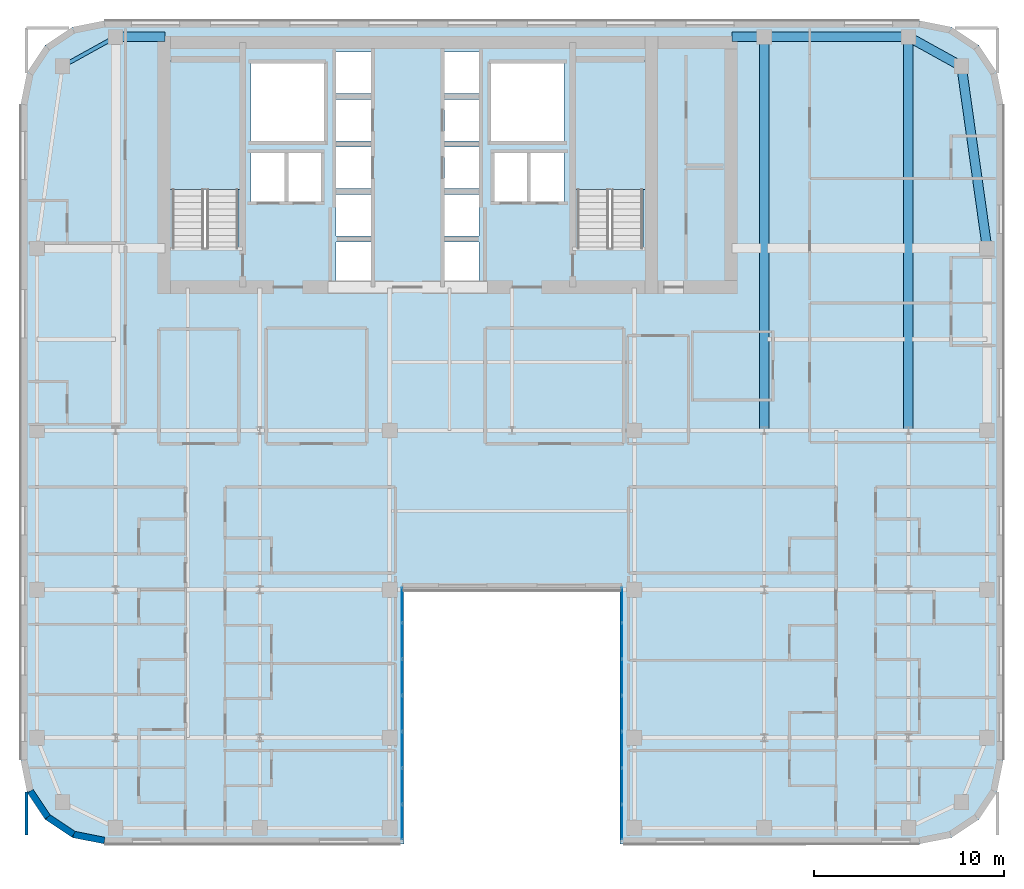
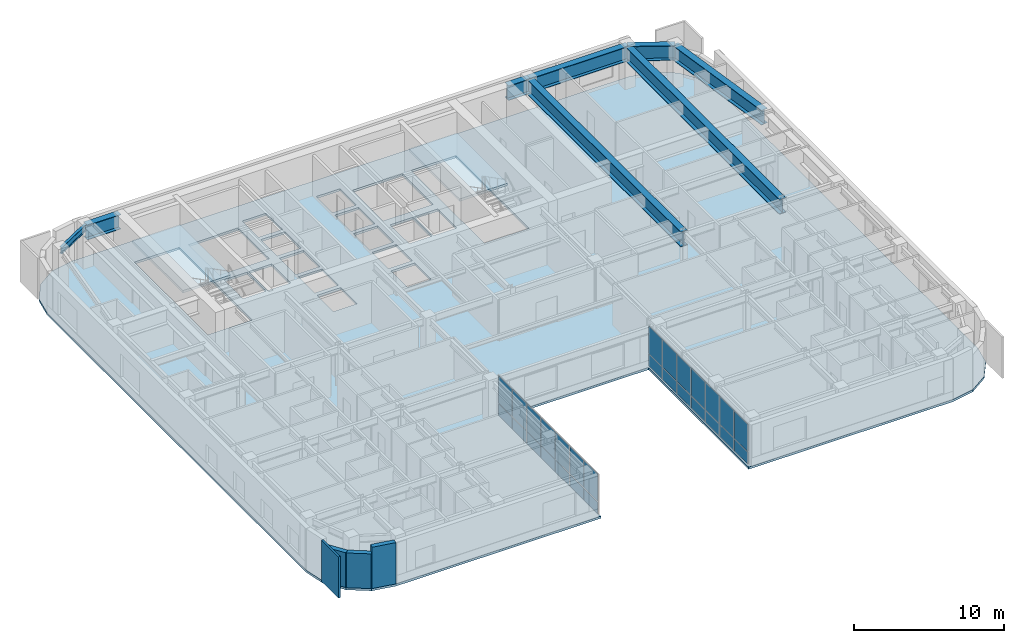
# One storey, part 8 of 21: 28 plates, 8 beams, 4 walls, 3 slabs, 4 elements without a shape of their own.
"""IFC4 building model written with IfcOpenShell, lengths in metres."""

import ifcopenshell
import ifcopenshell.guid

model = None  # the IFC model being written
_history = None  # IfcOwnerHistory: only IFC2X3 demands one
_inside = {}  # id of a spatial element -> (the spatial element, [elements in it])
_under = {}  # id of a project, library or spatial element -> (it, [spatial elements below it])
_declared = {}  # id of a project -> (the project, [libraries it declares])
_typed = {}  # id of a type object -> (the type object, [elements of that type])
_made_of = {}  # id of a material, layer set ... -> (it, [elements and type objects made of it])


def new_model(schema):
    """Start an empty IFC model of exactly this schema.

    Asked for "IFC4X3", IfcOpenShell would pick the latest addendum, in which some entities
    have other attributes; the version numbers below select the first issue.
    IFC2X3 requires an IfcOwnerHistory on every rooted entity: one is made here for all.
    """
    global model, _history
    if schema == "IFC4X3":
        model = ifcopenshell.file(schema_version=(4, 3, 0, 0))
    else:
        model = ifcopenshell.file(schema=schema)
    _inside.clear()
    _under.clear()
    _declared.clear()
    _typed.clear()
    _made_of.clear()
    _history = None
    if model.schema == "IFC2X3":
        org = make("IfcOrganization", Name="unknown")
        user = make(
            "IfcPersonAndOrganization",
            ThePerson=make("IfcPerson", FamilyName="unknown"),
            TheOrganization=org,
        )
        app = make(
            "IfcApplication",
            ApplicationDeveloper=org,
            Version="unknown",
            ApplicationFullName="unknown",
            ApplicationIdentifier="unknown",
        )
        _history = make(
            "IfcOwnerHistory",
            OwningUser=user,
            OwningApplication=app,
            ChangeAction="ADDED",
            CreationDate=0,
        )
    return model


def make(cls, **values):
    """One entity of the class cls with the attributes given. An attribute that is None is left unset."""
    return model.create_entity(
        cls, **{name: value for name, value in values.items() if value is not None}
    )


def rooted(cls, **values):
    """An entity with a GlobalId (a new one), such as an element, a storey or a relation."""
    return make(cls, GlobalId=ifcopenshell.guid.new(), OwnerHistory=_history, **values)


def si_unit(unit_type, name, prefix=None):
    """IfcSIUnit, for example si_unit("LENGTHUNIT", "METRE", prefix="MILLI")."""
    return make("IfcSIUnit", UnitType=unit_type, Prefix=prefix, Name=name)


def assignment(units):
    """IfcUnitAssignment: the units of a project."""
    return None if units is None else make("IfcUnitAssignment", Units=units)


def point(xyz):
    """IfcCartesianPoint."""
    return None if xyz is None else make("IfcCartesianPoint", Coordinates=xyz)


def direction(xyz):
    """IfcDirection."""
    return None if xyz is None else make("IfcDirection", DirectionRatios=xyz)


def frame(location, z_axis=None, x_axis=None):
    """IfcAxis2Placement3D, a coordinate frame: its origin and axes. An axis left out is left unset."""
    return make(
        "IfcAxis2Placement3D",
        Location=point(location),
        Axis=direction(z_axis),
        RefDirection=direction(x_axis),
    )


def frame_2d(location, x_axis=None):
    """IfcAxis2Placement2D, a coordinate frame in the plane: its origin and x axis."""
    return make(
        "IfcAxis2Placement2D", Location=point(location), RefDirection=direction(x_axis)
    )


def origin():
    """The frame at (0, 0, 0) with its axes left unset."""
    return frame((0.0, 0.0, 0.0))


def origin_2d():
    """The frame at (0, 0) in the plane with its x axis left unset."""
    return frame_2d((0.0, 0.0))


def place(relative_to, where):
    """IfcLocalPlacement: puts the frame where relative to a parent placement (None: the world)."""
    return make(
        "IfcLocalPlacement", PlacementRelTo=relative_to, RelativePlacement=where
    )


def context(
    kind, dimensions, precision=None, world=None, true_north=None, identifier=None
):
    """IfcGeometricRepresentationContext, for example the 3D "Model" context."""
    return make(
        "IfcGeometricRepresentationContext",
        ContextIdentifier=identifier,
        ContextType=kind,
        CoordinateSpaceDimension=dimensions,
        Precision=precision,
        WorldCoordinateSystem=world,
        TrueNorth=true_north,
    )


def subcontext(parent, identifier, kind, view, scale=None):
    """IfcGeometricRepresentationSubContext, for example "Body" below "Model"."""
    return make(
        "IfcGeometricRepresentationSubContext",
        ContextIdentifier=identifier,
        ContextType=kind,
        ParentContext=parent,
        TargetScale=scale,
        TargetView=view,
    )


def project(units=None, contexts=None):
    """IfcProject with its units and contexts."""
    return rooted(
        "IfcProject",
        Name="project",
        RepresentationContexts=contexts,
        UnitsInContext=assignment(units),
    )


def spatial(cls, under=None, at=None, **own):
    """A site, building, storey or space (cls), placed at a placement, below another one or the project."""
    s = rooted(cls, ObjectPlacement=at, **own)
    if under is not None:
        _under.setdefault(under.id(), (under, []))[1].append(s)
    return s


def polyline(points):
    """IfcPolyline through the points."""
    return make("IfcPolyline", Points=[point(p) for p in points])


def profile(cls, at=None, kind="AREA", **sizes):
    """A parametric profile (cls). Its sizes go by their IFC names, for example OverallWidth=200.0."""
    return make(cls, ProfileType=kind, Position=at, **sizes)


def rectangle(**sizes):
    """IfcRectangleProfileDef."""
    return profile("IfcRectangleProfileDef", **sizes)


def i_section(**sizes):
    """IfcIShapeProfileDef."""
    return profile("IfcIShapeProfileDef", **sizes)


def outline(outer, holes=None, kind="AREA"):
    """IfcArbitraryClosedProfileDef: a profile drawn as a closed curve; with holes, ...WithVoids."""
    if holes is None:
        return make("IfcArbitraryClosedProfileDef", ProfileType=kind, OuterCurve=outer)
    return make(
        "IfcArbitraryProfileDefWithVoids",
        ProfileType=kind,
        OuterCurve=outer,
        InnerCurves=holes,
    )


def extrude(swept, where, along, depth):
    """IfcExtrudedAreaSolid: the profile swept, set in the frame where, extruded along a direction by depth."""
    return make(
        "IfcExtrudedAreaSolid",
        SweptArea=swept,
        Position=where,
        ExtrudedDirection=direction(along),
        Depth=depth,
    )


def shape(context_of_items, identifier, shape_type, items):
    """IfcShapeRepresentation: the items that make up one representation, for example the "Body"."""
    return make(
        "IfcShapeRepresentation",
        ContextOfItems=context_of_items,
        RepresentationIdentifier=identifier,
        RepresentationType=shape_type,
        Items=items,
    )


def source(mapping_origin, context_of_items, identifier, shape_type, items):
    """IfcRepresentationMap: a shape defined once, which mapped items show again and again."""
    return make(
        "IfcRepresentationMap",
        MappingOrigin=mapping_origin,
        MappedRepresentation=shape(context_of_items, identifier, shape_type, items),
    )


def transform(
    local_origin,
    x_axis=None,
    y_axis=None,
    z_axis=None,
    scale=None,
    scale2=None,
    scale3=None,
    uniform=True,
):
    """IfcCartesianTransformationOperator3D, or its non-uniform kind. x_axis, y_axis, z_axis: its Axis1, 2, 3."""
    if uniform:
        return make(
            "IfcCartesianTransformationOperator3D",
            Axis1=direction(x_axis),
            Axis2=direction(y_axis),
            LocalOrigin=point(local_origin),
            Scale=scale,
            Axis3=direction(z_axis),
        )
    return make(
        "IfcCartesianTransformationOperator3DnonUniform",
        Axis1=direction(x_axis),
        Axis2=direction(y_axis),
        LocalOrigin=point(local_origin),
        Scale=scale,
        Axis3=direction(z_axis),
        Scale2=scale2,
        Scale3=scale3,
    )


def mapped(mapping_source, mapping_target):
    """IfcMappedItem: shows the shape of a source again, moved by a transform."""
    return make(
        "IfcMappedItem", MappingSource=mapping_source, MappingTarget=mapping_target
    )


def material(Name=None, Category=None):
    """IfcMaterial."""
    return make("IfcMaterial", Name=Name, Category=Category)


def layer(
    of_material, thickness, ventilated=None, Name=None, Category=None, Priority=None
):
    """IfcMaterialLayer: one layer of a wall or slab, of a material (None: an air gap)."""
    return make(
        "IfcMaterialLayer",
        Material=of_material,
        LayerThickness=thickness,
        IsVentilated=ventilated,
        Name=Name,
        Category=Category,
        Priority=Priority,
    )


def layer_set(layers, Name=None):
    """IfcMaterialLayerSet."""
    return make("IfcMaterialLayerSet", MaterialLayers=layers, LayerSetName=Name)


def material_profile(
    of_material, cross_section, Name=None, Category=None, Priority=None
):
    """IfcMaterialProfile: a cross section and its material."""
    return make(
        "IfcMaterialProfile",
        Name=Name,
        Material=of_material,
        Profile=cross_section,
        Priority=Priority,
        Category=Category,
    )


def profile_set(profiles, Name=None, composite=None):
    """IfcMaterialProfileSet."""
    return make(
        "IfcMaterialProfileSet",
        Name=Name,
        MaterialProfiles=profiles,
        CompositeProfile=composite,
    )


def made_of(thing, what):
    """Note that an element or type object is made of a material, layer set ...; save() writes the relation."""
    if what is not None:
        _made_of.setdefault(what.id(), (what, []))[1].append(thing)
    return thing


def type_object(cls, material=None, **own):
    """A type object (cls), such as IfcWallType, which elements share."""
    return made_of(rooted(cls, **own), material)


def type_shapes(of_type, sources):
    """Give a type object the sources (RepresentationMaps) that its elements show as mapped items."""
    of_type.RepresentationMaps = sources


def element(
    cls,
    number,
    at=None,
    inside=None,
    cuts=None,
    type_object=None,
    material=None,
    context=None,
    identifier="Body",
    shape_type=None,
    held_by="IfcProductDefinitionShape",
    body=None,
    shapes=None,
    **own,
):
    """One element of the class cls, such as IfcWall. Its Tag is "e" and its number.

    at: its placement. inside: the storey or other place that contains it. cuts: it is an
    opening in that element (IfcRelVoidsElement). A single representation is given by context,
    identifier, shape_type and body (its items); several are given by shapes. held_by: the class
    of the entity that holds the representations. save() writes the other relations.
    """
    e = rooted(cls, Tag="e%d" % number, ObjectPlacement=at, **own)
    if body is not None:
        shapes = [shape(context, identifier, shape_type, body)]
    if shapes is not None:
        e.Representation = make(held_by, Representations=shapes)
    if inside is not None:
        _inside.setdefault(inside.id(), (inside, []))[1].append(e)
    if cuts is not None:
        rooted(
            "IfcRelVoidsElement", RelatingBuildingElement=cuts, RelatedOpeningElement=e
        )
    if type_object is not None:
        _typed.setdefault(type_object.id(), (type_object, []))[1].append(e)
    return made_of(e, material)


def aggregate(whole, parts):
    """IfcRelAggregates: a whole, such as a stair, and the parts it consists of."""
    return rooted("IfcRelAggregates", RelatingObject=whole, RelatedObjects=parts)


def save(model, path):
    """Write the relations noted so far, then the file.

    IfcRelAggregates (storeys below a building ...), IfcRelContainedInSpatialStructure (elements
    in a storey), IfcRelDefinesByType, IfcRelAssociatesMaterial and IfcRelDeclares: one each for
    every whole, place, type object, material and project.
    """
    for whole, parts in _under.values():
        aggregate(whole, parts)
    for where, things in _inside.values():
        rooted(
            "IfcRelContainedInSpatialStructure",
            RelatedElements=things,
            RelatingStructure=where,
        )
    for kind, things in _typed.values():
        rooted("IfcRelDefinesByType", RelatedObjects=things, RelatingType=kind)
    for what, things in _made_of.values():
        rooted("IfcRelAssociatesMaterial", RelatedObjects=things, RelatingMaterial=what)
    for by, libraries in _declared.values():
        rooted("IfcRelDeclares", RelatingContext=by, RelatedDefinitions=libraries)
    model.write(path)


model = new_model("IFC4")

# Units and contexts
model_context = context("Model", 3, precision=1e-05, world=origin(), true_north=direction((0.0, 1.0)))
body_context = subcontext(model_context, "Body", "Model", "MODEL_VIEW")
ifc_project = project(units=[si_unit("LENGTHUNIT", "METRE"), si_unit("AREAUNIT", "SQUARE_METRE"), si_unit("VOLUMEUNIT", "CUBIC_METRE"), si_unit("PLANEANGLEUNIT", "RADIAN"), si_unit("MASSUNIT", "GRAM", prefix="KILO")], contexts=[model_context])

# Site, building, storey
site_placement = place(None, origin())
site = spatial("IfcSite", under=ifc_project, at=site_placement, CompositionType="ELEMENT")
building_placement = place(site_placement, origin())
building = spatial("IfcBuilding", under=site, at=building_placement, Name="Tolvann Quenvar Hotel", CompositionType="ELEMENT")
storey_placement = place(building_placement, frame((0.0, 0.0, 161.25)))
storey = spatial("IfcBuildingStorey", under=building, at=storey_placement, Name="L42", CompositionType="ELEMENT", Elevation=161.25)

# Beams
ifc_material_1 = material(Name="Steel Grade 350", Category="steel")
ifc_material_profile_1 = material_profile(ifc_material_1, i_section(OverallWidth=0.5, OverallDepth=1.199951171875, WebThickness=0.01611328125, FlangeThickness=0.0400390625, at=origin_2d()), Name="1200WB455")
ifc_profile_set_1 = profile_set([ifc_material_profile_1], Name="Steel Grade 350")
beam_type_1 = type_object("IfcBeamType", Name="BM_TG_1200WB455", PredefinedType="USERDEFINED", material=ifc_profile_set_1)
shared_shape_1 = source(origin(), body_context, "Body", "SweptSolid", [
    extrude(i_section(OverallWidth=0.5, OverallDepth=1.199951171875, WebThickness=0.01611328125, FlangeThickness=0.0400390625, at=origin_2d()), origin(), (0.0, 0.0, 1.0), 7.599853515625),
])
beam_1_placement = place(storey_placement, frame((49.39990234375, 45.14990234375, 2.77001953125), z_axis=(-1.0, 0.0, 0.0), x_axis=(0.0, -1.0, 0.0)))
element("IfcBeam", 1, at=beam_1_placement, inside=storey, type_object=beam_type_1, Name="BM-L42-FLK-E4", ObjectType="TRANSFER GIRDER", PredefinedType="USERDEFINED", context=body_context, shape_type="MappedRepresentation", body=[
    mapped(shared_shape_1, transform((0.0, 0.0, 0.0), x_axis=(1.0, 0.0, 0.0), y_axis=(0.0, 1.0, 0.0), z_axis=(0.0, 0.0, 1.0), scale=1.0)),
])
shared_shape_2 = source(origin(), body_context, "Body", "SweptSolid", [
    extrude(i_section(OverallWidth=0.5, OverallDepth=1.199951171875, WebThickness=0.01611328125, FlangeThickness=0.0400390625, at=origin_2d()), origin(), (0.0, 0.0, 1.0), 20.75),
])
for number, where, z_axis, x_axis, name in (
    (2, (41.800048828125, 24.39990234375, 2.77001953125), (0.0, 1.0, 0.0), (-1.0, 0.0, 0.0), "BM-L42-FLK-EH"),
    (3, (49.39990234375, 24.39990234375, 2.77001953125), (0.0, 1.0, 0.0), (-1.0, 0.0, 0.0), "BM-L42-FLK-EI"),
):
    element("IfcBeam", number, at=place(storey_placement, frame(where, z_axis=z_axis, x_axis=x_axis)), inside=storey, type_object=beam_type_1, Name=name, ObjectType="TRANSFER GIRDER", PredefinedType="USERDEFINED", context=body_context, shape_type="MappedRepresentation", body=[
        mapped(shared_shape_2, transform((0.0, 0.0, 0.0), x_axis=(1.0, 0.0, 0.0), y_axis=(0.0, 1.0, 0.0), z_axis=(0.0, 0.0, 1.0), scale=1.0)),
    ])
shared_shape_3 = source(origin(), body_context, "Body", "SweptSolid", [
    extrude(i_section(OverallWidth=0.5, OverallDepth=1.199951171875, WebThickness=0.01611328125, FlangeThickness=0.0400390625, at=origin_2d()), origin(), (0.0, 0.0, 1.0), 2.599853515625),
])
beam_2_placement = place(storey_placement, frame((7.60009765625, 45.14990234375, 2.77001953125), z_axis=(1.0, 0.0, 0.0), x_axis=(0.0, 1.0, 0.0)))
element("IfcBeam", 4, at=beam_2_placement, inside=storey, type_object=beam_type_1, Name="BM-L42-CTW-CN", ObjectType="TRANSFER GIRDER", PredefinedType="USERDEFINED", context=body_context, shape_type="MappedRepresentation", body=[
    mapped(shared_shape_3, transform((0.0, 0.0, 0.0), x_axis=(1.0, 0.0, 0.0), y_axis=(0.0, 1.0, 0.0), z_axis=(0.0, 0.0, 1.0), scale=1.0)),
])
shared_shape_4 = source(origin(), body_context, "Body", "SweptSolid", [
    extrude(i_section(OverallWidth=0.5, OverallDepth=1.199951171875, WebThickness=0.01611328125, FlangeThickness=0.0400390625, at=origin_2d()), origin(), (0.0, 0.0, 1.0), 1.699951171875),
])
beam_3_placement = place(storey_placement, frame((40.10009765625, 45.14990234375, 2.77001953125), z_axis=(1.0, 0.0, 0.0), x_axis=(0.0, 1.0, 0.0)))
element("IfcBeam", 5, at=beam_3_placement, inside=storey, type_object=beam_type_1, Name="BM-L42-CTE-HN", ObjectType="TRANSFER GIRDER", PredefinedType="USERDEFINED", context=body_context, shape_type="MappedRepresentation", body=[
    mapped(shared_shape_4, transform((0.0, 0.0, 0.0), x_axis=(1.0, 0.0, 0.0), y_axis=(0.0, 1.0, 0.0), z_axis=(0.0, 0.0, 1.0), scale=1.0)),
])
ifc_material_profile_2 = material_profile(ifc_material_1, i_section(OverallWidth=0.208984375, OverallDepth=0.528076171875, WebThickness=0.009521484375, FlangeThickness=0.01318359375, FilletRadius=0.013916015625, at=origin_2d()), Name="530UB82")
ifc_profile_set_2 = profile_set([ifc_material_profile_2], Name="Steel Grade 350")
beam_type_2 = type_object("IfcBeamType", Name="BM_SPAND_530UB82", PredefinedType="SPANDREL", material=ifc_profile_set_2)
shared_shape_5 = source(origin(), body_context, "Body", "SweptSolid", [
    extrude(i_section(OverallWidth=0.208984375, OverallDepth=0.528076171875, WebThickness=0.009521484375, FlangeThickness=0.01318359375, FilletRadius=0.013916015625, at=origin_2d()), origin(), (0.0, 0.0, 1.0), 3.200439453125),
])
type_shapes(beam_type_2, [shared_shape_5])
beam_4_placement = place(storey_placement, frame((4.800048828125, 43.60009765625, 3.10595703125), z_axis=(0.87492264453, 0.48426270359, 0.0), x_axis=(-0.48426270359, 0.87492264453, 0.0)))
element("IfcBeam", 6, at=beam_4_placement, inside=storey, type_object=beam_type_2, Name="BM-L42-FLK-W3", PredefinedType="SPANDREL", context=body_context, shape_type="MappedRepresentation", body=[
    mapped(shared_shape_5, transform((0.0, 0.0, 0.0), x_axis=(1.0, 0.0, 0.0), y_axis=(0.0, 1.0, 0.0), z_axis=(0.0, 0.0, 1.0), scale=1.0)),
])
shared_shape_6 = source(origin(), body_context, "Body", "SweptSolid", [
    extrude(i_section(OverallWidth=0.5, OverallDepth=1.199951171875, WebThickness=0.01611328125, FlangeThickness=0.0400390625, at=origin_2d()), origin(), (0.0, 0.0, 1.0), 9.694580078125),
])
beam_5_placement = place(storey_placement, frame((53.550048828125, 34.0, 2.77001953125), z_axis=(-0.139263320262, 0.990255385055, 0.0), x_axis=(-0.990255385055, -0.139263320262, 0.0)))
element("IfcBeam", 7, at=beam_5_placement, inside=storey, type_object=beam_type_1, Name="BM-L42-FLK-E2", ObjectType="TRANSFER GIRDER", PredefinedType="USERDEFINED", context=body_context, shape_type="MappedRepresentation", body=[
    mapped(shared_shape_6, transform((0.0, 0.0, 0.0), x_axis=(1.0, 0.0, 0.0), y_axis=(0.0, 1.0, 0.0), z_axis=(0.0, 0.0, 1.0), scale=1.0)),
])
shared_shape_7 = source(origin(), body_context, "Body", "SweptSolid", [
    extrude(i_section(OverallWidth=0.5, OverallDepth=1.199951171875, WebThickness=0.01611328125, FlangeThickness=0.0400390625, at=origin_2d()), origin(), (0.0, 0.0, 1.0), 3.200439453125),
])
type_shapes(beam_type_1, [shared_shape_1, shared_shape_2, shared_shape_3, shared_shape_4, shared_shape_6, shared_shape_7])
beam_6_placement = place(storey_placement, frame((52.199951171875, 43.60009765625, 2.77001953125), z_axis=(-0.87492264453, 0.48426270359, 0.0), x_axis=(-0.48426270359, -0.87492264453, 0.0)))
element("IfcBeam", 8, at=beam_6_placement, inside=storey, type_object=beam_type_1, Name="BM-L42-FLK-E3", ObjectType="TRANSFER GIRDER", PredefinedType="USERDEFINED", context=body_context, shape_type="MappedRepresentation", body=[
    mapped(shared_shape_7, transform((0.0, 0.0, 0.0), x_axis=(1.0, 0.0, 0.0), y_axis=(0.0, 1.0, 0.0), z_axis=(0.0, 0.0, 1.0), scale=1.0)),
])

# Stair, slab
ifc_material_2 = material(Name="Concrete N40 (40 MPa)", Category="concrete")
stair_type = type_object("IfcStairType", Name="STAIR", PredefinedType="HALF_TURN_STAIR", material=ifc_material_2)
stair_1_placement = place(storey_placement, origin())
stair_1 = element("IfcStair", 9, at=stair_1_placement, inside=storey, type_object=stair_type, Name="L42 ST-C1", PredefinedType="HALF_TURN_STAIR")
ifc_layer_1 = layer(ifc_material_2, 0.199951171875)
ifc_layer_set_1 = layer_set([ifc_layer_1], Name="Concrete N40 (40 MPa)")
slab_type_1 = type_object("IfcSlabType", Name="SLAB_LANDING", PredefinedType="LANDING", material=ifc_layer_set_1)
slab_1_placement = place(storey_placement, frame((0.0, 0.0, 1.574951171875)))
slab_1 = element("IfcSlab", 10, at=slab_1_placement, type_object=slab_type_1, Name="ST-C1 landing 1", PredefinedType="LANDING", context=body_context, shape_type="SweptSolid", body=[
    extrude(outline(polyline([(14.179931640625, 37.10498046875), (14.179931640625, 43.8798828125), (10.469970703125, 43.8798828125), (10.469970703125, 37.10498046875), (14.179931640625, 37.10498046875)])), origin(), (0.0, 0.0, 1.0), 0.199951171875),
])
aggregate(stair_1, [slab_1])

stair_2_placement = place(storey_placement, origin())
stair_2 = element("IfcStair", 11, at=stair_2_placement, inside=storey, type_object=stair_type, Name="L42 ST-C2", PredefinedType="HALF_TURN_STAIR")
slab_2_placement = place(storey_placement, frame((0.0, 0.0, 1.574951171875)))
slab_2 = element("IfcSlab", 12, at=slab_2_placement, type_object=slab_type_1, Name="ST-C2 landing 1", PredefinedType="LANDING", context=body_context, shape_type="SweptSolid", body=[
    extrude(outline(polyline([(35.530029296875, 37.10498046875), (35.530029296875, 43.8798828125), (31.820068359375, 43.8798828125), (31.820068359375, 37.10498046875), (35.530029296875, 37.10498046875)])), origin(), (0.0, 0.0, 1.0), 0.199951171875),
])
aggregate(stair_2, [slab_2])

# Slab
ifc_layer_2 = layer(ifc_material_2, 0.179931640625)
ifc_layer_set_2 = layer_set([ifc_layer_2], Name="Concrete N40 (40 MPa)")
slab_type_2 = type_object("IfcSlabType", Name="SLAB_TWR_180", PredefinedType="FLOOR", material=ifc_layer_set_2)
slab_3_placement = place(storey_placement, frame((0.0, 0.0, -0.179931640625)))
element("IfcSlab", 13, at=slab_3_placement, inside=storey, type_object=slab_type_2, Name="Level L42 Structural Floor Slab", PredefinedType="FLOOR", context=body_context, shape_type="SweptSolid", body=[
    extrude(outline(polyline([(2.60009765625, 7.0), (2.934814453125, 5.316162109375), (3.888671875, 3.888671875), (5.316162109375, 2.934814453125), (7.0, 2.60009765625), (22.800048828125, 2.60009765625), (22.800048828125, 16.0), (34.199951171875, 16.0), (34.199951171875, 2.60009765625), (50.0, 2.60009765625), (51.683837890625, 2.934814453125), (53.111328125, 3.888671875), (54.065185546875, 5.316162109375), (54.39990234375, 7.0), (54.39990234375, 41.60009765625), (54.065185546875, 43.28369140625), (53.111328125, 44.711181640625), (51.683837890625, 45.6650390625), (50.0, 46.0), (7.0, 46.0), (5.316162109375, 45.6650390625), (3.888671875, 44.711181640625), (2.934814453125, 43.28369140625), (2.60009765625, 41.60009765625), (2.60009765625, 7.0)]), holes=[polyline([(31.949951171875, 34.02490234375), (31.949951171875, 43.800048828125), (35.39990234375, 43.800048828125), (35.39990234375, 34.02490234375), (31.949951171875, 34.02490234375)]), polyline([(29.449951171875, 39.02001953125), (31.25, 39.02001953125), (31.25, 36.47998046875), (29.449951171875, 36.47998046875), (29.449951171875, 39.02001953125)]), polyline([(31.25, 43.75), (31.25, 39.64990234375), (27.39990234375, 39.64990234375), (27.39990234375, 43.75), (31.25, 43.75)]), polyline([(27.574951171875, 39.02001953125), (29.324951171875, 39.02001953125), (29.324951171875, 36.47998046875), (27.574951171875, 36.47998046875), (27.574951171875, 39.02001953125)]), polyline([(26.77001953125, 44.340087890625), (26.77001953125, 42.159912109375), (24.929931640625, 42.159912109375), (24.929931640625, 44.340087890625), (26.77001953125, 44.340087890625)]), polyline([(24.929931640625, 41.840087890625), (26.77001953125, 41.840087890625), (26.77001953125, 39.659912109375), (24.929931640625, 39.659912109375), (24.929931640625, 41.840087890625)]), polyline([(24.929931640625, 39.340087890625), (26.77001953125, 39.340087890625), (26.77001953125, 37.159912109375), (24.929931640625, 37.159912109375), (24.929931640625, 39.340087890625)]), polyline([(24.929931640625, 36.840087890625), (26.77001953125, 36.840087890625), (26.77001953125, 34.659912109375), (24.929931640625, 34.659912109375), (24.929931640625, 36.840087890625)]), polyline([(24.929931640625, 34.340087890625), (26.77001953125, 34.340087890625), (26.77001953125, 32.159912109375), (24.929931640625, 32.159912109375), (24.929931640625, 34.340087890625)]), polyline([(21.070068359375, 44.340087890625), (21.070068359375, 42.159912109375), (19.22998046875, 42.159912109375), (19.22998046875, 44.340087890625), (21.070068359375, 44.340087890625)]), polyline([(19.22998046875, 41.840087890625), (21.070068359375, 41.840087890625), (21.070068359375, 39.659912109375), (19.22998046875, 39.659912109375), (19.22998046875, 41.840087890625)]), polyline([(19.22998046875, 39.340087890625), (21.070068359375, 39.340087890625), (21.070068359375, 37.159912109375), (19.22998046875, 37.159912109375), (19.22998046875, 39.340087890625)]), polyline([(19.22998046875, 36.840087890625), (21.070068359375, 36.840087890625), (21.070068359375, 34.659912109375), (19.22998046875, 34.659912109375), (19.22998046875, 36.840087890625)]), polyline([(19.22998046875, 34.340087890625), (21.070068359375, 34.340087890625), (21.070068359375, 32.159912109375), (19.22998046875, 32.159912109375), (19.22998046875, 34.340087890625)]), polyline([(18.60009765625, 43.75), (18.60009765625, 39.64990234375), (14.75, 39.64990234375), (14.75, 43.75), (18.60009765625, 43.75)]), polyline([(16.675048828125, 39.02001953125), (18.425048828125, 39.02001953125), (18.425048828125, 36.47998046875), (16.675048828125, 36.47998046875), (16.675048828125, 39.02001953125)]), polyline([(14.75, 39.02001953125), (16.550048828125, 39.02001953125), (16.550048828125, 36.47998046875), (14.75, 36.47998046875), (14.75, 39.02001953125)]), polyline([(10.60009765625, 34.02490234375), (10.60009765625, 43.800048828125), (14.050048828125, 43.800048828125), (14.050048828125, 34.02490234375), (10.60009765625, 34.02490234375)])]), origin(), (0.0, 0.0, 1.0), 0.179931640625),
])

# Curtain wall, plates
ifc_material_3 = material(Name="Thermally broken anodised architectural aluminium 6063-T6 and laminated low-E glass", Category="aluminium")
ifc_layer_3 = layer(ifc_material_3, 0.179931640625)
ifc_layer_set_3 = layer_set([ifc_layer_3], Name="Thermally broken anodised architectural aluminium 6063-T6 and laminated low-E glass")
curtain_wall_type = type_object("IfcCurtainWallType", Name="CW_SYS_SLOT_03", PredefinedType="USERDEFINED", material=ifc_layer_set_3)
curtain_wall_1_placement = place(storey_placement, origin())
curtain_wall_1 = element("IfcCurtainWall", 14, at=curtain_wall_1_placement, inside=storey, type_object=curtain_wall_type, Name="Curtain Wall CW-SLOT-03 (CWR-L42-E05)", ObjectType="UNITISED CURTAIN WALL", PredefinedType="USERDEFINED")
ifc_material_4 = material(Name="Low-iron laminated double glazing with solar-control coating", Category="glass")
ifc_layer_4 = layer(ifc_material_4, 0.028076171875)
ifc_layer_set_4 = layer_set([ifc_layer_4], Name="Low-iron laminated double glazing with solar-control coating")
plate_type = type_object("IfcPlateType", Name="CW_PAN_VISION_28", PredefinedType="CURTAIN_PANEL", material=ifc_layer_set_4)
shared_shape_8 = source(origin(), body_context, "Body", "SweptSolid", [
    extrude(rectangle(XDim=1.809326171875, YDim=0.028076171875, at=origin_2d()), origin(), (0.0, 0.0, 1.0), 0.9599609375),
])
plate_1_placement = place(storey_placement, frame((22.7099609375, 3.749755859375, 0.06005859375), z_axis=(0.0, 0.0, 1.0), x_axis=(0.0, 1.0, 0.0)))
plate_1 = element("IfcPlate", 15, at=plate_1_placement, type_object=plate_type, Name="CW-SLOT-03 panel 1.1", PredefinedType="CURTAIN_PANEL", context=body_context, shape_type="MappedRepresentation", body=[
    mapped(shared_shape_8, transform((0.0, 0.0, 0.0), x_axis=(1.0, 0.0, 0.0), y_axis=(0.0, 1.0, 0.0), z_axis=(0.0, 0.0, 1.0), scale=1.0)),
])
plate_2_placement = place(storey_placement, frame((22.7099609375, 15.200439453125, 0.06005859375), z_axis=(0.0, 0.0, 1.0), x_axis=(0.0, 1.0, 0.0)))
plate_2 = element("IfcPlate", 16, at=plate_2_placement, type_object=plate_type, Name="CW-SLOT-03 panel 7.1", PredefinedType="CURTAIN_PANEL", context=body_context, shape_type="MappedRepresentation", body=[
    mapped(shared_shape_8, transform((0.0, 0.0, 0.0), x_axis=(1.0, 0.0, 0.0), y_axis=(0.0, 1.0, 0.0), z_axis=(0.0, 0.0, 1.0), scale=1.0)),
])

curtain_wall_2_placement = place(storey_placement, origin())
curtain_wall_2 = element("IfcCurtainWall", 17, at=curtain_wall_2_placement, inside=storey, type_object=curtain_wall_type, Name="Curtain Wall CW-SLOT-03 (CWR-L42-E07)", ObjectType="UNITISED CURTAIN WALL", PredefinedType="USERDEFINED")
plate_3_placement = place(storey_placement, frame((34.2900390625, 15.200439453125, 0.06005859375), z_axis=(0.0, 0.0, 1.0), x_axis=(0.0, -1.0, 0.0)))
plate_3 = element("IfcPlate", 18, at=plate_3_placement, type_object=plate_type, Name="CW-SLOT-03 panel 1.1", PredefinedType="CURTAIN_PANEL", context=body_context, shape_type="MappedRepresentation", body=[
    mapped(shared_shape_8, transform((0.0, 0.0, 0.0), x_axis=(1.0, 0.0, 0.0), y_axis=(0.0, 1.0, 0.0), z_axis=(0.0, 0.0, 1.0), scale=1.0)),
])
plate_4_placement = place(storey_placement, frame((34.2900390625, 3.749755859375, 0.06005859375), z_axis=(0.0, 0.0, 1.0), x_axis=(0.0, -1.0, 0.0)))
plate_4 = element("IfcPlate", 19, at=plate_4_placement, type_object=plate_type, Name="CW-SLOT-03 panel 7.1", PredefinedType="CURTAIN_PANEL", context=body_context, shape_type="MappedRepresentation", body=[
    mapped(shared_shape_8, transform((0.0, 0.0, 0.0), x_axis=(1.0, 0.0, 0.0), y_axis=(0.0, 1.0, 0.0), z_axis=(0.0, 0.0, 1.0), scale=1.0)),
])

# Plate
shared_shape_9 = source(origin(), body_context, "Body", "SweptSolid", [
    extrude(rectangle(XDim=1.809326171875, YDim=0.028076171875, at=origin_2d()), origin(), (0.0, 0.0, 1.0), 2.22998046875),
])
plate_5_placement = place(storey_placement, frame((22.7099609375, 3.749755859375, 1.080078125), z_axis=(0.0, 0.0, 1.0), x_axis=(0.0, 1.0, 0.0)))
plate_5 = element("IfcPlate", 20, at=plate_5_placement, type_object=plate_type, Name="CW-SLOT-03 panel 1.2", PredefinedType="CURTAIN_PANEL", context=body_context, shape_type="MappedRepresentation", body=[
    mapped(shared_shape_9, transform((0.0, 0.0, 0.0), x_axis=(1.0, 0.0, 0.0), y_axis=(0.0, 1.0, 0.0), z_axis=(0.0, 0.0, 1.0), scale=1.0)),
])

plate_6_placement = place(storey_placement, frame((22.7099609375, 15.200439453125, 1.080078125), z_axis=(0.0, 0.0, 1.0), x_axis=(0.0, 1.0, 0.0)))
plate_6 = element("IfcPlate", 21, at=plate_6_placement, type_object=plate_type, Name="CW-SLOT-03 panel 7.2", PredefinedType="CURTAIN_PANEL", context=body_context, shape_type="MappedRepresentation", body=[
    mapped(shared_shape_9, transform((0.0, 0.0, 0.0), x_axis=(1.0, 0.0, 0.0), y_axis=(0.0, 1.0, 0.0), z_axis=(0.0, 0.0, 1.0), scale=1.0)),
])

plate_7_placement = place(storey_placement, frame((34.2900390625, 15.200439453125, 1.080078125), z_axis=(0.0, 0.0, 1.0), x_axis=(0.0, -1.0, 0.0)))
plate_7 = element("IfcPlate", 22, at=plate_7_placement, type_object=plate_type, Name="CW-SLOT-03 panel 1.2", PredefinedType="CURTAIN_PANEL", context=body_context, shape_type="MappedRepresentation", body=[
    mapped(shared_shape_9, transform((0.0, 0.0, 0.0), x_axis=(1.0, 0.0, 0.0), y_axis=(0.0, 1.0, 0.0), z_axis=(0.0, 0.0, 1.0), scale=1.0)),
])

plate_8_placement = place(storey_placement, frame((34.2900390625, 3.749755859375, 1.080078125), z_axis=(0.0, 0.0, 1.0), x_axis=(0.0, -1.0, 0.0)))
plate_8 = element("IfcPlate", 23, at=plate_8_placement, type_object=plate_type, Name="CW-SLOT-03 panel 7.2", PredefinedType="CURTAIN_PANEL", context=body_context, shape_type="MappedRepresentation", body=[
    mapped(shared_shape_9, transform((0.0, 0.0, 0.0), x_axis=(1.0, 0.0, 0.0), y_axis=(0.0, 1.0, 0.0), z_axis=(0.0, 0.0, 1.0), scale=1.0)),
])

shared_shape_10 = source(origin(), body_context, "Body", "SweptSolid", [
    extrude(rectangle(XDim=1.84423828125, YDim=0.028076171875, at=origin_2d()), origin(), (0.0, 0.0, 1.0), 0.9599609375),
])
plate_9_placement = place(storey_placement, frame((22.7099609375, 5.646484375, 0.06005859375), z_axis=(0.0, 0.0, 1.0), x_axis=(0.0, 1.0, 0.0)))
plate_9 = element("IfcPlate", 24, at=plate_9_placement, type_object=plate_type, Name="CW-SLOT-03 panel 2.1", PredefinedType="CURTAIN_PANEL", context=body_context, shape_type="MappedRepresentation", body=[
    mapped(shared_shape_10, transform((0.0, 0.0, 0.0), x_axis=(1.0, 0.0, 0.0), y_axis=(0.0, 1.0, 0.0), z_axis=(0.0, 0.0, 1.0), scale=1.0)),
])

plate_10_placement = place(storey_placement, frame((22.7099609375, 7.560791015625, 0.06005859375), z_axis=(0.0, 0.0, 1.0), x_axis=(0.0, 1.0, 0.0)))
plate_10 = element("IfcPlate", 25, at=plate_10_placement, type_object=plate_type, Name="CW-SLOT-03 panel 3.1", PredefinedType="CURTAIN_PANEL", context=body_context, shape_type="MappedRepresentation", body=[
    mapped(shared_shape_10, transform((0.0, 0.0, 0.0), x_axis=(1.0, 0.0, 0.0), y_axis=(0.0, 1.0, 0.0), z_axis=(0.0, 0.0, 1.0), scale=1.0)),
])

plate_11_placement = place(storey_placement, frame((22.7099609375, 9.47509765625, 0.06005859375), z_axis=(0.0, 0.0, 1.0), x_axis=(0.0, 1.0, 0.0)))
plate_11 = element("IfcPlate", 26, at=plate_11_placement, type_object=plate_type, Name="CW-SLOT-03 panel 4.1", PredefinedType="CURTAIN_PANEL", context=body_context, shape_type="MappedRepresentation", body=[
    mapped(shared_shape_10, transform((0.0, 0.0, 0.0), x_axis=(1.0, 0.0, 0.0), y_axis=(0.0, 1.0, 0.0), z_axis=(0.0, 0.0, 1.0), scale=1.0)),
])

plate_12_placement = place(storey_placement, frame((22.7099609375, 11.389404296875, 0.06005859375), z_axis=(0.0, 0.0, 1.0), x_axis=(0.0, 1.0, 0.0)))
plate_12 = element("IfcPlate", 27, at=plate_12_placement, type_object=plate_type, Name="CW-SLOT-03 panel 5.1", PredefinedType="CURTAIN_PANEL", context=body_context, shape_type="MappedRepresentation", body=[
    mapped(shared_shape_10, transform((0.0, 0.0, 0.0), x_axis=(1.0, 0.0, 0.0), y_axis=(0.0, 1.0, 0.0), z_axis=(0.0, 0.0, 1.0), scale=1.0)),
])

plate_13_placement = place(storey_placement, frame((22.7099609375, 13.303466796875, 0.06005859375), z_axis=(0.0, 0.0, 1.0), x_axis=(0.0, 1.0, 0.0)))
plate_13 = element("IfcPlate", 28, at=plate_13_placement, type_object=plate_type, Name="CW-SLOT-03 panel 6.1", PredefinedType="CURTAIN_PANEL", context=body_context, shape_type="MappedRepresentation", body=[
    mapped(shared_shape_10, transform((0.0, 0.0, 0.0), x_axis=(1.0, 0.0, 0.0), y_axis=(0.0, 1.0, 0.0), z_axis=(0.0, 0.0, 1.0), scale=1.0)),
])

plate_14_placement = place(storey_placement, frame((34.2900390625, 13.303466796875, 0.06005859375), z_axis=(0.0, 0.0, 1.0), x_axis=(0.0, -1.0, 0.0)))
plate_14 = element("IfcPlate", 29, at=plate_14_placement, type_object=plate_type, Name="CW-SLOT-03 panel 2.1", PredefinedType="CURTAIN_PANEL", context=body_context, shape_type="MappedRepresentation", body=[
    mapped(shared_shape_10, transform((0.0, 0.0, 0.0), x_axis=(1.0, 0.0, 0.0), y_axis=(0.0, 1.0, 0.0), z_axis=(0.0, 0.0, 1.0), scale=1.0)),
])

plate_15_placement = place(storey_placement, frame((34.2900390625, 11.389404296875, 0.06005859375), z_axis=(0.0, 0.0, 1.0), x_axis=(0.0, -1.0, 0.0)))
plate_15 = element("IfcPlate", 30, at=plate_15_placement, type_object=plate_type, Name="CW-SLOT-03 panel 3.1", PredefinedType="CURTAIN_PANEL", context=body_context, shape_type="MappedRepresentation", body=[
    mapped(shared_shape_10, transform((0.0, 0.0, 0.0), x_axis=(1.0, 0.0, 0.0), y_axis=(0.0, 1.0, 0.0), z_axis=(0.0, 0.0, 1.0), scale=1.0)),
])

plate_16_placement = place(storey_placement, frame((34.2900390625, 9.47509765625, 0.06005859375), z_axis=(0.0, 0.0, 1.0), x_axis=(0.0, -1.0, 0.0)))
plate_16 = element("IfcPlate", 31, at=plate_16_placement, type_object=plate_type, Name="CW-SLOT-03 panel 4.1", PredefinedType="CURTAIN_PANEL", context=body_context, shape_type="MappedRepresentation", body=[
    mapped(shared_shape_10, transform((0.0, 0.0, 0.0), x_axis=(1.0, 0.0, 0.0), y_axis=(0.0, 1.0, 0.0), z_axis=(0.0, 0.0, 1.0), scale=1.0)),
])

plate_17_placement = place(storey_placement, frame((34.2900390625, 7.560791015625, 0.06005859375), z_axis=(0.0, 0.0, 1.0), x_axis=(0.0, -1.0, 0.0)))
plate_17 = element("IfcPlate", 32, at=plate_17_placement, type_object=plate_type, Name="CW-SLOT-03 panel 5.1", PredefinedType="CURTAIN_PANEL", context=body_context, shape_type="MappedRepresentation", body=[
    mapped(shared_shape_10, transform((0.0, 0.0, 0.0), x_axis=(1.0, 0.0, 0.0), y_axis=(0.0, 1.0, 0.0), z_axis=(0.0, 0.0, 1.0), scale=1.0)),
])

plate_18_placement = place(storey_placement, frame((34.2900390625, 5.646484375, 0.06005859375), z_axis=(0.0, 0.0, 1.0), x_axis=(0.0, -1.0, 0.0)))
plate_18 = element("IfcPlate", 33, at=plate_18_placement, type_object=plate_type, Name="CW-SLOT-03 panel 6.1", PredefinedType="CURTAIN_PANEL", context=body_context, shape_type="MappedRepresentation", body=[
    mapped(shared_shape_10, transform((0.0, 0.0, 0.0), x_axis=(1.0, 0.0, 0.0), y_axis=(0.0, 1.0, 0.0), z_axis=(0.0, 0.0, 1.0), scale=1.0)),
])

shared_shape_11 = source(origin(), body_context, "Body", "SweptSolid", [
    extrude(rectangle(XDim=1.84423828125, YDim=0.028076171875, at=origin_2d()), origin(), (0.0, 0.0, 1.0), 2.22998046875),
])
type_shapes(plate_type, [shared_shape_8, shared_shape_9, shared_shape_10, shared_shape_11])
plate_19_placement = place(storey_placement, frame((22.7099609375, 5.646484375, 1.080078125), z_axis=(0.0, 0.0, 1.0), x_axis=(0.0, 1.0, 0.0)))
plate_19 = element("IfcPlate", 34, at=plate_19_placement, type_object=plate_type, Name="CW-SLOT-03 panel 2.2", PredefinedType="CURTAIN_PANEL", context=body_context, shape_type="MappedRepresentation", body=[
    mapped(shared_shape_11, transform((0.0, 0.0, 0.0), x_axis=(1.0, 0.0, 0.0), y_axis=(0.0, 1.0, 0.0), z_axis=(0.0, 0.0, 1.0), scale=1.0)),
])

plate_20_placement = place(storey_placement, frame((22.7099609375, 7.560791015625, 1.080078125), z_axis=(0.0, 0.0, 1.0), x_axis=(0.0, 1.0, 0.0)))
plate_20 = element("IfcPlate", 35, at=plate_20_placement, type_object=plate_type, Name="CW-SLOT-03 panel 3.2", PredefinedType="CURTAIN_PANEL", context=body_context, shape_type="MappedRepresentation", body=[
    mapped(shared_shape_11, transform((0.0, 0.0, 0.0), x_axis=(1.0, 0.0, 0.0), y_axis=(0.0, 1.0, 0.0), z_axis=(0.0, 0.0, 1.0), scale=1.0)),
])

plate_21_placement = place(storey_placement, frame((22.7099609375, 9.47509765625, 1.080078125), z_axis=(0.0, 0.0, 1.0), x_axis=(0.0, 1.0, 0.0)))
plate_21 = element("IfcPlate", 36, at=plate_21_placement, type_object=plate_type, Name="CW-SLOT-03 panel 4.2", PredefinedType="CURTAIN_PANEL", context=body_context, shape_type="MappedRepresentation", body=[
    mapped(shared_shape_11, transform((0.0, 0.0, 0.0), x_axis=(1.0, 0.0, 0.0), y_axis=(0.0, 1.0, 0.0), z_axis=(0.0, 0.0, 1.0), scale=1.0)),
])

plate_22_placement = place(storey_placement, frame((22.7099609375, 11.389404296875, 1.080078125), z_axis=(0.0, 0.0, 1.0), x_axis=(0.0, 1.0, 0.0)))
plate_22 = element("IfcPlate", 37, at=plate_22_placement, type_object=plate_type, Name="CW-SLOT-03 panel 5.2", PredefinedType="CURTAIN_PANEL", context=body_context, shape_type="MappedRepresentation", body=[
    mapped(shared_shape_11, transform((0.0, 0.0, 0.0), x_axis=(1.0, 0.0, 0.0), y_axis=(0.0, 1.0, 0.0), z_axis=(0.0, 0.0, 1.0), scale=1.0)),
])

plate_23_placement = place(storey_placement, frame((22.7099609375, 13.303466796875, 1.080078125), z_axis=(0.0, 0.0, 1.0), x_axis=(0.0, 1.0, 0.0)))
plate_23 = element("IfcPlate", 38, at=plate_23_placement, type_object=plate_type, Name="CW-SLOT-03 panel 6.2", PredefinedType="CURTAIN_PANEL", context=body_context, shape_type="MappedRepresentation", body=[
    mapped(shared_shape_11, transform((0.0, 0.0, 0.0), x_axis=(1.0, 0.0, 0.0), y_axis=(0.0, 1.0, 0.0), z_axis=(0.0, 0.0, 1.0), scale=1.0)),
])

aggregate(curtain_wall_1, [plate_1, plate_5, plate_9, plate_19, plate_10, plate_20, plate_11, plate_21, plate_12, plate_22, plate_13, plate_23, plate_2, plate_6])

plate_24_placement = place(storey_placement, frame((34.2900390625, 13.303466796875, 1.080078125), z_axis=(0.0, 0.0, 1.0), x_axis=(0.0, -1.0, 0.0)))
plate_24 = element("IfcPlate", 39, at=plate_24_placement, type_object=plate_type, Name="CW-SLOT-03 panel 2.2", PredefinedType="CURTAIN_PANEL", context=body_context, shape_type="MappedRepresentation", body=[
    mapped(shared_shape_11, transform((0.0, 0.0, 0.0), x_axis=(1.0, 0.0, 0.0), y_axis=(0.0, 1.0, 0.0), z_axis=(0.0, 0.0, 1.0), scale=1.0)),
])

plate_25_placement = place(storey_placement, frame((34.2900390625, 11.389404296875, 1.080078125), z_axis=(0.0, 0.0, 1.0), x_axis=(0.0, -1.0, 0.0)))
plate_25 = element("IfcPlate", 40, at=plate_25_placement, type_object=plate_type, Name="CW-SLOT-03 panel 3.2", PredefinedType="CURTAIN_PANEL", context=body_context, shape_type="MappedRepresentation", body=[
    mapped(shared_shape_11, transform((0.0, 0.0, 0.0), x_axis=(1.0, 0.0, 0.0), y_axis=(0.0, 1.0, 0.0), z_axis=(0.0, 0.0, 1.0), scale=1.0)),
])

plate_26_placement = place(storey_placement, frame((34.2900390625, 9.47509765625, 1.080078125), z_axis=(0.0, 0.0, 1.0), x_axis=(0.0, -1.0, 0.0)))
plate_26 = element("IfcPlate", 41, at=plate_26_placement, type_object=plate_type, Name="CW-SLOT-03 panel 4.2", PredefinedType="CURTAIN_PANEL", context=body_context, shape_type="MappedRepresentation", body=[
    mapped(shared_shape_11, transform((0.0, 0.0, 0.0), x_axis=(1.0, 0.0, 0.0), y_axis=(0.0, 1.0, 0.0), z_axis=(0.0, 0.0, 1.0), scale=1.0)),
])

plate_27_placement = place(storey_placement, frame((34.2900390625, 7.560791015625, 1.080078125), z_axis=(0.0, 0.0, 1.0), x_axis=(0.0, -1.0, 0.0)))
plate_27 = element("IfcPlate", 42, at=plate_27_placement, type_object=plate_type, Name="CW-SLOT-03 panel 5.2", PredefinedType="CURTAIN_PANEL", context=body_context, shape_type="MappedRepresentation", body=[
    mapped(shared_shape_11, transform((0.0, 0.0, 0.0), x_axis=(1.0, 0.0, 0.0), y_axis=(0.0, 1.0, 0.0), z_axis=(0.0, 0.0, 1.0), scale=1.0)),
])

plate_28_placement = place(storey_placement, frame((34.2900390625, 5.646484375, 1.080078125), z_axis=(0.0, 0.0, 1.0), x_axis=(0.0, -1.0, 0.0)))
plate_28 = element("IfcPlate", 43, at=plate_28_placement, type_object=plate_type, Name="CW-SLOT-03 panel 6.2", PredefinedType="CURTAIN_PANEL", context=body_context, shape_type="MappedRepresentation", body=[
    mapped(shared_shape_11, transform((0.0, 0.0, 0.0), x_axis=(1.0, 0.0, 0.0), y_axis=(0.0, 1.0, 0.0), z_axis=(0.0, 0.0, 1.0), scale=1.0)),
])

aggregate(curtain_wall_2, [plate_3, plate_7, plate_14, plate_24, plate_15, plate_25, plate_16, plate_26, plate_17, plate_27, plate_18, plate_28, plate_4, plate_8])

# Walls
ifc_material_5 = material(Name="Kiln-fired red and buff architectural clay brickwork and terracotta masonry", Category="masonry")
ifc_layer_5 = layer(ifc_material_5, 0.35009765625)
ifc_layer_set_5 = layer_set([ifc_layer_5], Name="Kiln-fired red and buff architectural clay brickwork and terracotta masonry")
wall_type_1 = type_object("IfcWallType", Name="WALL_EXT_BRICK_350", PredefinedType="SOLIDWALL", material=ifc_layer_set_5)
for number, where, z_axis, x_axis, name in (
    (44, (3.099609375, 5.384521484375, 0.0), (0.0, 0.0, 1.0), (0.555623290322, -0.831434158098, 0.0), "Exterior Chicago Brick Wall L42-E01"),
    (45, (4.014892578125, 4.014892578125, 0.0), (0.0, 0.0, 1.0), (0.831434158098, -0.555623290322, 0.0), "Exterior Chicago Brick Wall L42-E02"),
):
    element("IfcWall", number, at=place(storey_placement, frame(where, z_axis=z_axis, x_axis=x_axis)), inside=storey, type_object=wall_type_1, Name=name, PredefinedType="SOLIDWALL", context=body_context, shape_type="SweptSolid", body=[
        extrude(rectangle(XDim=1.647216796875, YDim=0.35009765625, at=frame_2d((0.82373046875, 0.0))), origin(), (0.0, 0.0, 1.0), 2.83203125),
    ])
wall_1_placement = place(storey_placement, frame((5.384521484375, 3.099609375, 0.0), z_axis=(0.0, 0.0, 1.0), x_axis=(0.980788844421, -0.195072403631, 0.0)))
element("IfcWall", 46, at=wall_1_placement, inside=storey, type_object=wall_type_1, Name="Exterior Chicago Brick Wall L42-E03", PredefinedType="SOLIDWALL", context=body_context, shape_type="SweptSolid", body=[
    extrude(rectangle(XDim=1.66455078125, YDim=0.35009765625, at=frame_2d((0.832275390625, 0.0))), origin(), (0.0, 0.0, 1.0), 3.3701171875),
])
ifc_material_6 = material(Name="Acoustic twin-stud fire-rated gypsum plasterboard partition")
ifc_layer_6 = layer(ifc_material_6, 0.14990234375)
ifc_layer_set_6 = layer_set([ifc_layer_6], Name="Acoustic twin-stud fire-rated gypsum plasterboard partition")
wall_type_2 = type_object("IfcWallType", Name="WALL_PART_SUITE_150", PredefinedType="PARTITIONING", material=ifc_layer_set_6)
wall_2_placement = place(storey_placement, frame((2.89990234375, 3.080078125, 0.0), z_axis=(0.0, 0.0, 1.0), x_axis=(0.0, 1.0, 0.0)))
element("IfcWall", 47, at=wall_2_placement, inside=storey, type_object=wall_type_2, Name="Interior Partition PT-SPC-L42-RM-WO01-E6", PredefinedType="PARTITIONING", context=body_context, shape_type="SweptSolid", body=[
    extrude(rectangle(XDim=2.264892578125, YDim=0.14990234375, at=frame_2d((1.13232421875, 0.0))), origin(), (0.0, 0.0, 1.0), 3.3701171875),
])

save(model, "model.ifc")
